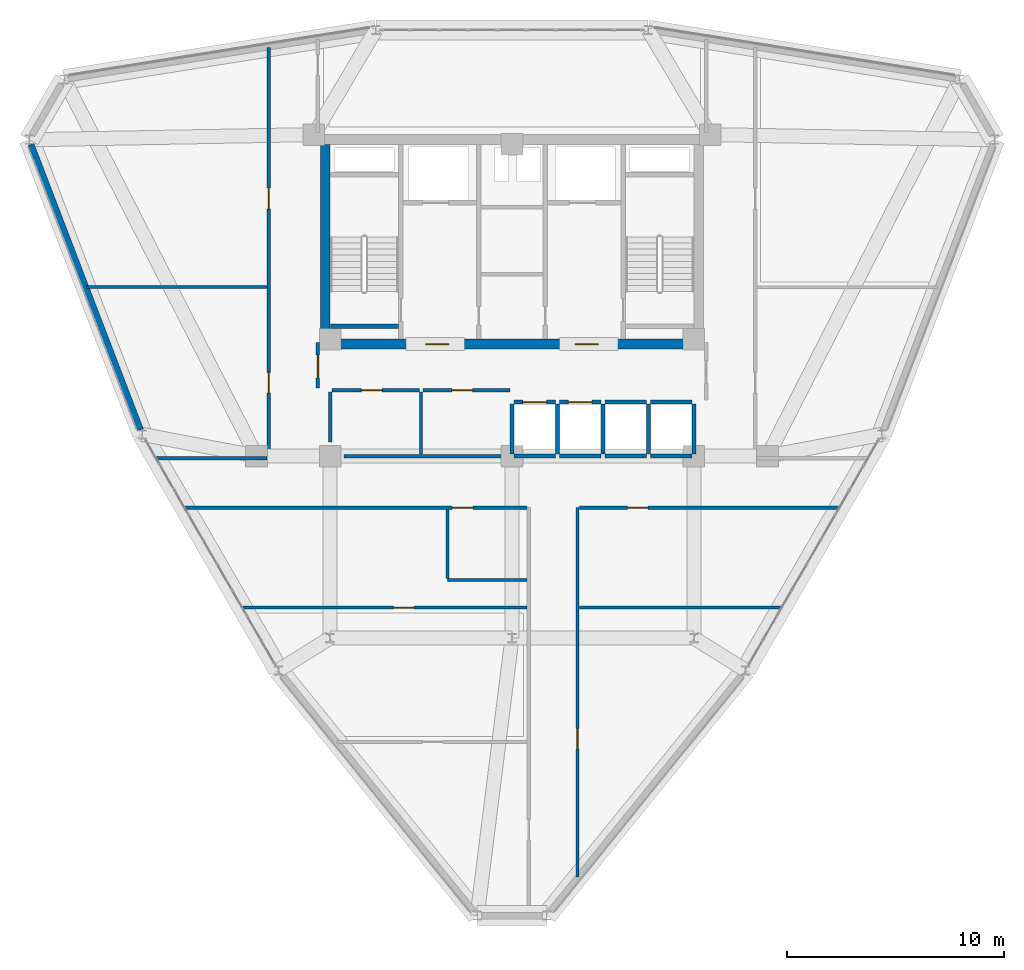
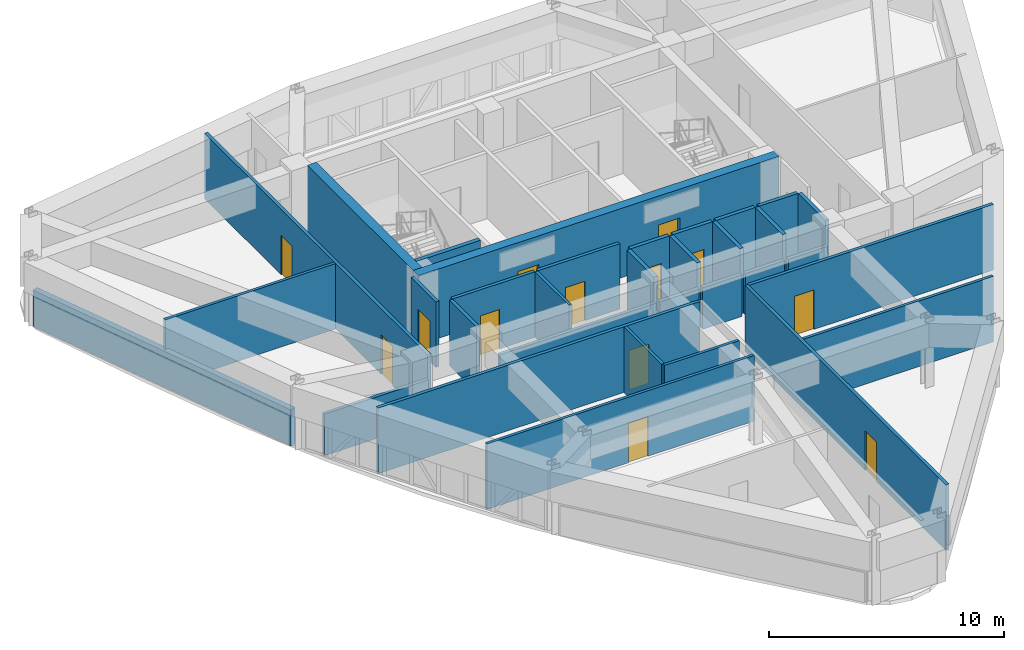
# One storey, part 10 of 13: 33 walls, 13 doors, 13 openings.
"""IFC4 building model written with IfcOpenShell, lengths in metres."""

from ifc_helpers import new_model, si_unit, derived_unit, direction, frame, frame_2d, origin, place, context, subcontext, project, spatial, rectangle, extrude, material, layer, layer_set, type_object, element, fill, save


model = new_model("IFC4")

# Units and contexts
model_context = context("Model", 3, precision=1e-05, world=origin(), true_north=direction((0.0, 1.0)))
body_context = subcontext(model_context, "Body", "Model", "MODEL_VIEW")
ifc_project = project(units=[si_unit("LENGTHUNIT", "METRE"), si_unit("AREAUNIT", "SQUARE_METRE"), si_unit("VOLUMEUNIT", "CUBIC_METRE"), si_unit("PLANEANGLEUNIT", "RADIAN"), si_unit("MASSUNIT", "GRAM", prefix="KILO"), derived_unit("THERMALTRANSMITTANCEUNIT", [(si_unit("POWERUNIT", "WATT"), 1), (si_unit("LENGTHUNIT", "METRE"), -2), (si_unit("THERMODYNAMICTEMPERATUREUNIT", "KELVIN"), -1)])], contexts=[model_context])

# Site, building, storey
site_placement = place(None, origin())
site = spatial("IfcSite", under=ifc_project, at=site_placement, CompositionType="ELEMENT")
building_placement = place(site_placement, origin())
building = spatial("IfcBuilding", under=site, at=building_placement, Name="Korsvarv Bourse and Concert Hall", CompositionType="ELEMENT")
storey_placement = place(building_placement, frame((0.0, 0.0, 179.39990234375)))
storey = spatial("IfcBuildingStorey", under=building, at=storey_placement, Name="L46", CompositionType="ELEMENT", Elevation=179.39990234375)

# Wall
ifc_material_1 = material(Name="Concrete C50/60", Category="concrete")
ifc_layer_1 = layer(ifc_material_1, 0.3798828125)
ifc_layer_set_1 = layer_set([ifc_layer_1], Name="Concrete C50/60")
wall_type_1 = type_object("IfcWallType", Name="WL-CORE-380", PredefinedType="SHEAR", material=ifc_layer_set_1)
wall_1_placement = place(storey_placement, frame((27.610107421875, 38.39990234375, 0.0), z_axis=(0.0, 0.0, 1.0), x_axis=(1.0, 0.0, 0.0)))
element("IfcWall", 1, at=wall_1_placement, inside=storey, type_object=wall_type_1, Name="L46 stair shaft structural wall W-L46-ST1-S", PredefinedType="SHEAR", context=body_context, shape_type="SweptSolid", body=[
    extrude(rectangle(XDim=3.139892578125, YDim=0.199951171875, at=frame_2d((1.56982421875, 0.0))), origin(), (0.0, 0.0, 1.0), 3.60009765625),
])

# Wall, openings, doors
ifc_material_2 = material(Name="Concrete C55/67", Category="concrete")
ifc_layer_2 = layer(ifc_material_2, 0.449951171875)
ifc_layer_set_2 = layer_set([ifc_layer_2], Name="Concrete C55/67")
wall_type_2 = type_object("IfcWallType", Name="WL-CORE-450", PredefinedType="SHEAR", material=ifc_layer_set_2)
wall_2_placement = place(storey_placement, frame((27.14990234375, 37.574951171875, 0.0), z_axis=(0.0, 0.0, 1.0), x_axis=(1.0, 0.0, 0.0)))
wall_2 = element("IfcWall", 2, at=wall_2_placement, inside=storey, type_object=wall_type_2, Name="L46 South Core Shear Wall", PredefinedType="SHEAR", context=body_context, shape_type="SweptSolid", body=[
    extrude(rectangle(XDim=17.7001953125, YDim=0.449951171875, at=frame_2d((8.85009765625, 0.0))), origin(), (0.0, 0.0, 1.0), 3.60009765625),
])
opening_1_placement = place(wall_2_placement, frame((4.875, 0.0, 0.0)))
opening_1 = element("IfcOpeningElement", 3, at=opening_1_placement, cuts=wall_2, Name="Opening D-01", PredefinedType="OPENING", context=body_context, shape_type="SweptSolid", body=[
    extrude(rectangle(XDim=1.050048828125, YDim=2.10009765625, at=frame_2d((0.52490234375, 1.050048828125))), frame((0.0, 0.23486328125, 0.0), z_axis=(0.0, -1.0, 0.0), x_axis=(1.0, 0.0, 0.0)), (0.0, 0.0, 1.0), 0.469970703125),
])
opening_2_placement = place(wall_2_placement, frame((11.77490234375, 0.0, 0.0)))
opening_2 = element("IfcOpeningElement", 4, at=opening_2_placement, cuts=wall_2, Name="Opening D-01", PredefinedType="OPENING", context=body_context, shape_type="SweptSolid", body=[
    extrude(rectangle(XDim=1.050048828125, YDim=2.10009765625, at=frame_2d((0.52490234375, 1.050048828125))), frame((0.0, 0.23486328125, 0.0), z_axis=(0.0, -1.0, 0.0), x_axis=(1.0, 0.0, 0.0)), (0.0, 0.0, 1.0), 0.469970703125),
])
ifc_material_3 = material(Name="Steel S355 fire door", Category="steel")
door_type_1 = type_object("IfcDoorType", Name="DR-FD60", OperationType="NOTDEFINED", PredefinedType="DOOR", material=ifc_material_3)
door_1_placement = place(opening_1_placement, frame((1.050048828125, 0.0, 0.0), z_axis=(0.0, 0.0, 1.0), x_axis=(-1.0, 0.0, 0.0)))
door_1 = element("IfcDoor", 5, at=door_1_placement, inside=storey, type_object=door_type_1, Name="L46 firefighting lobby fire door DR-L46-FFLW", OperationType="SINGLE_SWING_LEFT", OverallHeight=2.10009765625, OverallWidth=1.050048828125, PredefinedType="DOOR", context=body_context, shape_type="SweptSolid", body=[
    extrude(rectangle(XDim=1.050048828125, YDim=2.10009765625, at=frame_2d((0.52490234375, 1.050048828125))), frame((0.0, 0.02490234375, 0.0), z_axis=(0.0, -1.0, 0.0), x_axis=(1.0, 0.0, 0.0)), (0.0, 0.0, 1.0), 0.050048828125),
])
fill(opening_1, door_1)
door_2_placement = place(opening_2_placement, frame((1.050048828125, 0.0, 0.0), z_axis=(0.0, 0.0, 1.0), x_axis=(-1.0, 0.0, 0.0)))
door_2 = element("IfcDoor", 6, at=door_2_placement, inside=storey, type_object=door_type_1, Name="L46 firefighting lobby fire door DR-L46-FFLE", OperationType="SINGLE_SWING_RIGHT", OverallHeight=2.10009765625, OverallWidth=1.050048828125, PredefinedType="DOOR", context=body_context, shape_type="SweptSolid", body=[
    extrude(rectangle(XDim=1.050048828125, YDim=2.10009765625, at=frame_2d((0.52490234375, 1.050048828125))), frame((0.0, 0.02490234375, 0.0), z_axis=(0.0, -1.0, 0.0), x_axis=(1.0, 0.0, 0.0)), (0.0, 0.0, 1.0), 0.050048828125),
])
fill(opening_2, door_2)

# Walls
wall_3_placement = place(storey_placement, frame((27.375, 37.800048828125, 0.0), z_axis=(0.0, 0.0, 1.0), x_axis=(0.0, 1.0, 0.0)))
element("IfcWall", 7, at=wall_3_placement, inside=storey, type_object=wall_type_2, Name="L46 West Core Shear Wall", PredefinedType="SHEAR", context=body_context, shape_type="SweptSolid", body=[
    extrude(rectangle(XDim=9.0, YDim=0.449951171875, at=frame_2d((4.5, 0.0))), origin(), (0.0, 0.0, 1.0), 3.60009765625),
])
ifc_material_4 = material(Name="Precast concrete C45/55 with fluted terracotta pier", Category="concrete")
ifc_layer_3 = layer(ifc_material_4, 0.280029296875)
ifc_layer_set_3 = layer_set([ifc_layer_3], Name="Precast concrete C45/55 with fluted terracotta pier")
wall_type_3 = type_object("IfcWallType", Name="WL-EXT-TC2", PredefinedType="SOLIDWALL", material=ifc_layer_set_3)
wall_4_placement = place(storey_placement, frame((13.79150390625, 46.7998046875, 0.0), z_axis=(0.0, 0.0, 1.0), x_axis=(0.358033263681, -0.933708831541, 0.0)))
element("IfcWall", 8, at=wall_4_placement, inside=storey, type_object=wall_type_3, Name="L46 terracotta exterior wall EW-L46-B06", PredefinedType="SOLIDWALL", context=body_context, shape_type="SweptSolid", body=[
    extrude(rectangle(XDim=14.1171875, YDim=0.280029296875, at=frame_2d((7.05859375, 0.0))), origin(), (0.0, 0.0, 1.0), 1.8701171875),
])
ifc_material_5 = material(Name="Double-stud fire-rated acoustic partition", Category="gypsum")
ifc_layer_4 = layer(ifc_material_5, 0.159912109375)
ifc_layer_set_4 = layer_set([ifc_layer_4], Name="Double-stud fire-rated acoustic partition")
wall_type_4 = type_object("IfcWallType", Name="WL-INT-EI60", PredefinedType="PARTITIONING", material=ifc_layer_set_4)
wall_5_placement = place(storey_placement, frame((28.25, 32.39990234375, 0.0), z_axis=(0.0, 0.0, 1.0), x_axis=(1.0, 0.0, 0.0)))
element("IfcWall", 9, at=wall_5_placement, inside=storey, type_object=wall_type_4, Name="L46 interior partition wall W-L46-FRD-S", PredefinedType="PARTITIONING", context=body_context, shape_type="SweptSolid", body=[
    extrude(rectangle(XDim=7.64990234375, YDim=0.159912109375, at=frame_2d((3.824951171875, 0.0))), origin(), (0.0, 0.0, 1.0), 2.16015625),
])
wall_6_placement = place(storey_placement, frame((27.60009765625, 33.050048828125, 0.0), z_axis=(0.0, 0.0, 1.0), x_axis=(0.0, 1.0, 0.0)))
element("IfcWall", 10, at=wall_6_placement, inside=storey, type_object=wall_type_4, Name="L46 interior partition wall W-L46-FRD-W", PredefinedType="PARTITIONING", context=body_context, shape_type="SweptSolid", body=[
    extrude(rectangle(XDim=2.31005859375, YDim=0.159912109375, at=frame_2d((1.155029296875, 0.0))), origin(), (0.0, 0.0, 1.0), 3.400146484375),
])

# Wall, opening, door
wall_7_placement = place(storey_placement, frame((27.68994140625, 35.449951171875, 0.0), z_axis=(0.0, 0.0, 1.0), x_axis=(1.0, 0.0, 0.0)))
wall_7 = element("IfcWall", 11, at=wall_7_placement, inside=storey, type_object=wall_type_4, Name="L46 interior partition wall W-L46-FRD-N1", PredefinedType="PARTITIONING", context=body_context, shape_type="SweptSolid", body=[
    extrude(rectangle(XDim=4.030029296875, YDim=0.159912109375, at=frame_2d((2.01513671875, 0.0))), origin(), (0.0, 0.0, 1.0), 3.400146484375),
])
opening_3_placement = place(wall_7_placement, frame((1.35009765625, 0.0, 0.0)))
opening_3 = element("IfcOpeningElement", 12, at=opening_3_placement, cuts=wall_7, Name="Opening D-03", PredefinedType="OPENING", context=body_context, shape_type="SweptSolid", body=[
    extrude(rectangle(XDim=0.949951171875, YDim=2.050048828125, at=frame_2d((0.47509765625, 1.02490234375))), frame((0.0, 0.08984375, 0.0), z_axis=(0.0, -1.0, 0.0), x_axis=(1.0, 0.0, 0.0)), (0.0, 0.0, 1.0), 0.179931640625),
])
ifc_material_6 = material(Name="Nordic oak acoustic office door", Category="wood")
door_type_2 = type_object("IfcDoorType", Name="DR-INT-1", OperationType="NOTDEFINED", PredefinedType="DOOR", material=ifc_material_6)
door_3_placement = place(opening_3_placement, origin())
door_3 = element("IfcDoor", 13, at=door_3_placement, inside=storey, type_object=door_type_2, Name="L46 interior door DR-L46-FRDN1", OperationType="SINGLE_SWING_RIGHT", OverallHeight=2.050048828125, OverallWidth=0.949951171875, PredefinedType="DOOR", context=body_context, shape_type="SweptSolid", body=[
    extrude(rectangle(XDim=0.949951171875, YDim=2.050048828125, at=frame_2d((0.47509765625, 1.02490234375))), frame((0.0, 0.02490234375, 0.0), z_axis=(0.0, -1.0, 0.0), x_axis=(1.0, 0.0, 0.0)), (0.0, 0.0, 1.0), 0.050048828125),
])
fill(opening_3, door_3)

wall_8_placement = place(storey_placement, frame((31.8798828125, 35.449951171875, 0.0), z_axis=(0.0, 0.0, 1.0), x_axis=(1.0, 0.0, 0.0)))
wall_8 = element("IfcWall", 14, at=wall_8_placement, inside=storey, type_object=wall_type_4, Name="L46 interior partition wall W-L46-FRD-N2", PredefinedType="PARTITIONING", context=body_context, shape_type="SweptSolid", body=[
    extrude(rectangle(XDim=4.02001953125, YDim=0.159912109375, at=frame_2d((2.010009765625, 0.0))), origin(), (0.0, 0.0, 1.0), 3.400146484375),
])
opening_4_placement = place(wall_8_placement, frame((1.35009765625, 0.0, 0.0)))
opening_4 = element("IfcOpeningElement", 15, at=opening_4_placement, cuts=wall_8, Name="Opening D-03", PredefinedType="OPENING", context=body_context, shape_type="SweptSolid", body=[
    extrude(rectangle(XDim=0.949951171875, YDim=2.050048828125, at=frame_2d((0.47509765625, 1.02490234375))), frame((0.0, 0.08984375, 0.0), z_axis=(0.0, -1.0, 0.0), x_axis=(1.0, 0.0, 0.0)), (0.0, 0.0, 1.0), 0.179931640625),
])
door_4_placement = place(opening_4_placement, origin())
door_4 = element("IfcDoor", 16, at=door_4_placement, inside=storey, type_object=door_type_2, Name="L46 interior door DR-L46-FRDN2", OperationType="SINGLE_SWING_LEFT", OverallHeight=2.050048828125, OverallWidth=0.949951171875, PredefinedType="DOOR", context=body_context, shape_type="SweptSolid", body=[
    extrude(rectangle(XDim=0.949951171875, YDim=2.050048828125, at=frame_2d((0.47509765625, 1.02490234375))), frame((0.0, 0.02490234375, 0.0), z_axis=(0.0, -1.0, 0.0), x_axis=(1.0, 0.0, 0.0)), (0.0, 0.0, 1.0), 0.050048828125),
])
fill(opening_4, door_4)

wall_9_placement = place(storey_placement, frame((27.0400390625, 35.5400390625, 0.0), z_axis=(0.0, 0.0, 1.0), x_axis=(0.0, 1.0, 0.0)))
wall_9 = element("IfcWall", 17, at=wall_9_placement, inside=storey, type_object=wall_type_4, Name="L46 interior partition wall W-L46-LOB-WL", PredefinedType="PARTITIONING", context=body_context, shape_type="SweptSolid", body=[
    extrude(rectangle(XDim=2.10986328125, YDim=0.159912109375, at=frame_2d((1.054931640625, 0.0))), origin(), (0.0, 0.0, 1.0), 3.400146484375),
])
opening_5_placement = place(wall_9_placement, frame((0.47998046875, 0.0, 0.0)))
opening_5 = element("IfcOpeningElement", 18, at=opening_5_placement, cuts=wall_9, Name="Opening D-01", PredefinedType="OPENING", context=body_context, shape_type="SweptSolid", body=[
    extrude(rectangle(XDim=1.050048828125, YDim=2.10009765625, at=frame_2d((0.52490234375, 1.050048828125))), frame((0.0, 0.08984375, 0.0), z_axis=(0.0, -1.0, 0.0), x_axis=(1.0, 0.0, 0.0)), (0.0, 0.0, 1.0), 0.179931640625),
])
door_5_placement = place(opening_5_placement, frame((1.050048828125, 0.0, 0.0), z_axis=(0.0, 0.0, 1.0), x_axis=(-1.0, 0.0, 0.0)))
door_5 = element("IfcDoor", 19, at=door_5_placement, inside=storey, type_object=door_type_1, Name="L46 interior door DR-L46-LOBW", OperationType="SINGLE_SWING_RIGHT", OverallHeight=2.10009765625, OverallWidth=1.050048828125, PredefinedType="DOOR", context=body_context, shape_type="SweptSolid", body=[
    extrude(rectangle(XDim=1.050048828125, YDim=2.10009765625, at=frame_2d((0.52490234375, 1.050048828125))), frame((0.0, 0.02490234375, 0.0), z_axis=(0.0, -1.0, 0.0), x_axis=(1.0, 0.0, 0.0)), (0.0, 0.0, 1.0), 0.050048828125),
])
fill(opening_5, door_5)

# Wall, openings, doors
wall_10_placement = place(storey_placement, frame((24.77490234375, 32.31005859375, 0.0), z_axis=(0.0, 0.0, 1.0), x_axis=(0.0, 1.0, 0.0)))
wall_10 = element("IfcWall", 20, at=wall_10_placement, inside=storey, type_object=wall_type_4, Name="L46 interior partition wall W-L46-TCOR-02", PredefinedType="PARTITIONING", context=body_context, shape_type="SweptSolid", body=[
    extrude(rectangle(XDim=18.96875, YDim=0.159912109375, at=frame_2d((9.484375, 0.0))), origin(), (0.0, 0.0, 1.0), 3.400146484375),
])
opening_6_placement = place(wall_10_placement, frame((3.008056640625, 0.0, 0.0)))
opening_6 = element("IfcOpeningElement", 21, at=opening_6_placement, cuts=wall_10, Name="Opening D-02", PredefinedType="OPENING", context=body_context, shape_type="SweptSolid", body=[
    extrude(rectangle(XDim=0.949951171875, YDim=2.050048828125, at=frame_2d((0.47509765625, 1.02490234375))), frame((0.0, 0.08984375, 0.0), z_axis=(0.0, -1.0, 0.0), x_axis=(1.0, 0.0, 0.0)), (0.0, 0.0, 1.0), 0.179931640625),
])
opening_7_placement = place(wall_10_placement, frame((11.512939453125, 0.0, 0.0)))
opening_7 = element("IfcOpeningElement", 22, at=opening_7_placement, cuts=wall_10, Name="Opening D-02", PredefinedType="OPENING", context=body_context, shape_type="SweptSolid", body=[
    extrude(rectangle(XDim=0.949951171875, YDim=2.050048828125, at=frame_2d((0.47509765625, 1.02490234375))), frame((0.0, 0.08984375, 0.0), z_axis=(0.0, -1.0, 0.0), x_axis=(1.0, 0.0, 0.0)), (0.0, 0.0, 1.0), 0.179931640625),
])
ifc_material_7 = material(Name="Timber and steel acoustic fire door", Category="wood")
door_type_3 = type_object("IfcDoorType", Name="DR-FD30", OperationType="NOTDEFINED", PredefinedType="DOOR", material=ifc_material_7)
door_6_placement = place(opening_6_placement, origin())
door_6 = element("IfcDoor", 23, at=door_6_placement, inside=storey, type_object=door_type_3, Name="L46 interior door DR-L46-TCOR-AR79", OperationType="SINGLE_SWING_RIGHT", OverallHeight=2.050048828125, OverallWidth=0.949951171875, PredefinedType="DOOR", context=body_context, shape_type="SweptSolid", body=[
    extrude(rectangle(XDim=0.949951171875, YDim=2.050048828125, at=frame_2d((0.47509765625, 1.02490234375))), frame((0.0, 0.02490234375, 0.0), z_axis=(0.0, -1.0, 0.0), x_axis=(1.0, 0.0, 0.0)), (0.0, 0.0, 1.0), 0.050048828125),
])
fill(opening_6, door_6)
door_7_placement = place(opening_7_placement, origin())
door_7 = element("IfcDoor", 24, at=door_7_placement, inside=storey, type_object=door_type_3, Name="L46 interior door DR-L46-TCOR-RM1010", OperationType="SINGLE_SWING_LEFT", OverallHeight=2.050048828125, OverallWidth=0.949951171875, PredefinedType="DOOR", context=body_context, shape_type="SweptSolid", body=[
    extrude(rectangle(XDim=0.949951171875, YDim=2.050048828125, at=frame_2d((0.47509765625, 1.02490234375))), frame((0.0, 0.02490234375, 0.0), z_axis=(0.0, -1.0, 0.0), x_axis=(1.0, 0.0, 0.0)), (0.0, 0.0, 1.0), 0.050048828125),
])
fill(opening_7, door_7)

# Wall, opening, door
wall_11_placement = place(storey_placement, frame((39.02490234375, 12.95849609375, 0.0), z_axis=(0.0, 0.0, 1.0), x_axis=(0.0, 1.0, 0.0)))
wall_11 = element("IfcWall", 25, at=wall_11_placement, inside=storey, type_object=wall_type_4, Name="L46 interior partition wall W-L46-TCOR-04", PredefinedType="PARTITIONING", context=body_context, shape_type="SweptSolid", body=[
    extrude(rectangle(XDim=17.071533203125, YDim=0.159912109375, at=frame_2d((8.53564453125, 0.0))), origin(), (0.0, 0.0, 1.0), 3.400146484375),
])
opening_8_placement = place(wall_11_placement, frame((5.908203125, 0.0, 0.0)))
opening_8 = element("IfcOpeningElement", 26, at=opening_8_placement, cuts=wall_11, Name="Opening D-02", PredefinedType="OPENING", context=body_context, shape_type="SweptSolid", body=[
    extrude(rectangle(XDim=0.949951171875, YDim=2.050048828125, at=frame_2d((0.47509765625, 1.02490234375))), frame((0.0, 0.08984375, 0.0), z_axis=(0.0, -1.0, 0.0), x_axis=(1.0, 0.0, 0.0)), (0.0, 0.0, 1.0), 0.179931640625),
])
door_8_placement = place(opening_8_placement, origin())
door_8 = element("IfcDoor", 27, at=door_8_placement, inside=storey, type_object=door_type_3, Name="L46 interior door DR-L46-TCOR-AR43", OperationType="SINGLE_SWING_LEFT", OverallHeight=2.050048828125, OverallWidth=0.949951171875, PredefinedType="DOOR", context=body_context, shape_type="SweptSolid", body=[
    extrude(rectangle(XDim=0.949951171875, YDim=2.050048828125, at=frame_2d((0.47509765625, 1.02490234375))), frame((0.0, 0.02490234375, 0.0), z_axis=(0.0, -1.0, 0.0), x_axis=(1.0, 0.0, 0.0)), (0.0, 0.0, 1.0), 0.050048828125),
])
fill(opening_8, door_8)

wall_12_placement = place(storey_placement, frame((20.8994140625, 30.02490234375, 0.0), z_axis=(0.0, 0.0, 1.0), x_axis=(1.0, 0.0, 0.0)))
wall_12 = element("IfcWall", 28, at=wall_12_placement, inside=storey, type_object=wall_type_4, Name="L46 interior partition wall W-L46-TCOR-05", PredefinedType="PARTITIONING", context=body_context, shape_type="SweptSolid", body=[
    extrude(rectangle(XDim=15.793701171875, YDim=0.159912109375, at=frame_2d((7.89697265625, 0.0))), origin(), (0.0, 0.0, 1.0), 3.400146484375),
])
opening_9_placement = place(wall_12_placement, frame((12.3408203125, 0.0, 0.0)))
opening_9 = element("IfcOpeningElement", 29, at=opening_9_placement, cuts=wall_12, Name="Opening D-02", PredefinedType="OPENING", context=body_context, shape_type="SweptSolid", body=[
    extrude(rectangle(XDim=0.949951171875, YDim=2.050048828125, at=frame_2d((0.47509765625, 1.02490234375))), frame((0.0, 0.08984375, 0.0), z_axis=(0.0, -1.0, 0.0), x_axis=(1.0, 0.0, 0.0)), (0.0, 0.0, 1.0), 0.179931640625),
])
door_9_placement = place(opening_9_placement, origin())
door_9 = element("IfcDoor", 30, at=door_9_placement, inside=storey, type_object=door_type_3, Name="L46 interior door DR-L46-TCOR-RWC", OperationType="SINGLE_SWING_RIGHT", OverallHeight=2.050048828125, OverallWidth=0.949951171875, PredefinedType="DOOR", context=body_context, shape_type="SweptSolid", body=[
    extrude(rectangle(XDim=0.949951171875, YDim=2.050048828125, at=frame_2d((0.47509765625, 1.02490234375))), frame((0.0, 0.02490234375, 0.0), z_axis=(0.0, -1.0, 0.0), x_axis=(1.0, 0.0, 0.0)), (0.0, 0.0, 1.0), 0.050048828125),
])
fill(opening_9, door_9)

wall_13_placement = place(storey_placement, frame((39.10693359375, 30.02490234375, 0.0), z_axis=(0.0, 0.0, 1.0), x_axis=(1.0, 0.0, 0.0)))
wall_13 = element("IfcWall", 31, at=wall_13_placement, inside=storey, type_object=wall_type_4, Name="L46 interior partition wall W-L46-TCOR-06", PredefinedType="PARTITIONING", context=body_context, shape_type="SweptSolid", body=[
    extrude(rectangle(XDim=11.99365234375, YDim=0.159912109375, at=frame_2d((5.996826171875, 0.0))), origin(), (0.0, 0.0, 1.0), 3.400146484375),
])
opening_10_placement = place(wall_13_placement, frame((2.2255859375, 0.0, 0.0)))
opening_10 = element("IfcOpeningElement", 32, at=opening_10_placement, cuts=wall_13, Name="Opening D-02", PredefinedType="OPENING", context=body_context, shape_type="SweptSolid", body=[
    extrude(rectangle(XDim=0.949951171875, YDim=2.050048828125, at=frame_2d((0.47509765625, 1.02490234375))), frame((0.0, 0.08984375, 0.0), z_axis=(0.0, -1.0, 0.0), x_axis=(1.0, 0.0, 0.0)), (0.0, 0.0, 1.0), 0.179931640625),
])
door_10_placement = place(opening_10_placement, origin())
door_10 = element("IfcDoor", 33, at=door_10_placement, inside=storey, type_object=door_type_3, Name="L46 interior door DR-L46-TCOR-AR24", OperationType="SINGLE_SWING_LEFT", OverallHeight=2.050048828125, OverallWidth=0.949951171875, PredefinedType="DOOR", context=body_context, shape_type="SweptSolid", body=[
    extrude(rectangle(XDim=0.949951171875, YDim=2.050048828125, at=frame_2d((0.47509765625, 1.02490234375))), frame((0.0, 0.02490234375, 0.0), z_axis=(0.0, -1.0, 0.0), x_axis=(1.0, 0.0, 0.0)), (0.0, 0.0, 1.0), 0.050048828125),
])
fill(opening_10, door_10)

# Wall
wall_14_placement = place(storey_placement, frame((19.5771484375, 32.31494140625, 0.0), z_axis=(0.0, 0.0, 1.0), x_axis=(1.0, 0.0, 0.0)))
element("IfcWall", 34, at=wall_14_placement, inside=storey, type_object=wall_type_4, Name="L46 interior partition wall W-L46-TCOR-08", PredefinedType="PARTITIONING", context=body_context, shape_type="SweptSolid", body=[
    extrude(rectangle(XDim=5.115966796875, YDim=0.159912109375, at=frame_2d((2.55810546875, 0.0))), origin(), (0.0, 0.0, 1.0), 2.16015625),
])

# Wall, opening, door
ifc_material_8 = material(Name="Gypsum-clad autoclaved concrete shaft wall C30/37", Category="concrete")
ifc_layer_5 = layer(ifc_material_8, 0.179931640625)
ifc_layer_set_5 = layer_set([ifc_layer_5], Name="Gypsum-clad autoclaved concrete shaft wall C30/37")
wall_type_5 = type_object("IfcWallType", Name="WL-INT-EI90", PredefinedType="PARTITIONING", material=ifc_layer_set_5)
wall_15_placement = place(storey_placement, frame((36.090087890625, 34.89990234375, 0.0), z_axis=(0.0, 0.0, 1.0), x_axis=(1.0, 0.0, 0.0)))
wall_15 = element("IfcWall", 35, at=wall_15_placement, inside=storey, type_object=wall_type_5, Name="L46 interior partition wall W-L46-SHFN-PH1", PredefinedType="PARTITIONING", context=body_context, shape_type="SweptSolid", body=[
    extrude(rectangle(XDim=1.919921875, YDim=0.179931640625, at=frame_2d((0.9599609375, 0.0))), origin(), (0.0, 0.0, 1.0), 3.400146484375),
])
opening_11_placement = place(wall_15_placement, frame((0.409912109375, 0.0, 0.0)))
opening_11 = element("IfcOpeningElement", 36, at=opening_11_placement, cuts=wall_15, Name="Opening LD-2", PredefinedType="OPENING", context=body_context, shape_type="SweptSolid", body=[
    extrude(rectangle(XDim=1.10009765625, YDim=2.10009765625, at=frame_2d((0.550048828125, 1.050048828125))), frame((0.0, 0.10009765625, 0.0), z_axis=(0.0, -1.0, 0.0), x_axis=(1.0, 0.0, 0.0)), (0.0, 0.0, 1.0), 0.199951171875),
])
ifc_material_9 = material(Name="Brushed stainless Steel S355 lift landing door", Category="steel")
door_type_4 = type_object("IfcDoorType", Name="DR-LIFT-P", OperationType="DOUBLE_DOOR_SLIDING", PredefinedType="DOOR", material=ifc_material_9)
door_11_placement = place(opening_11_placement, origin())
door_11 = element("IfcDoor", 37, at=door_11_placement, inside=storey, type_object=door_type_4, Name="L46 lift sliding landing door LD-L46-PH1", OperationType="DOUBLE_DOOR_SLIDING", OverallHeight=2.10009765625, OverallWidth=1.10009765625, PredefinedType="DOOR", context=body_context, shape_type="SweptSolid", body=[
    extrude(rectangle(XDim=1.10009765625, YDim=2.10009765625, at=frame_2d((0.550048828125, 1.050048828125))), frame((0.0, 0.02490234375, 0.0), z_axis=(0.0, -1.0, 0.0), x_axis=(1.0, 0.0, 0.0)), (0.0, 0.0, 1.0), 0.050048828125),
])
fill(opening_11, door_11)

# Walls
wall_16_placement = place(storey_placement, frame((36.090087890625, 32.39990234375, 0.0), z_axis=(0.0, 0.0, 1.0), x_axis=(1.0, 0.0, 0.0)))
element("IfcWall", 38, at=wall_16_placement, inside=storey, type_object=wall_type_5, Name="L46 interior partition wall W-L46-SHFS-PH1", PredefinedType="PARTITIONING", context=body_context, shape_type="SweptSolid", body=[
    extrude(rectangle(XDim=1.919921875, YDim=0.179931640625, at=frame_2d((0.9599609375, 0.0))), origin(), (0.0, 0.0, 1.0), 2.16015625),
])
wall_17_placement = place(storey_placement, frame((36.0, 32.489990234375, 0.0), z_axis=(0.0, 0.0, 1.0), x_axis=(0.0, 1.0, 0.0)))
element("IfcWall", 39, at=wall_17_placement, inside=storey, type_object=wall_type_5, Name="L46 interior partition wall W-L46-SHFW-PH1", PredefinedType="PARTITIONING", context=body_context, shape_type="SweptSolid", body=[
    extrude(rectangle(XDim=2.320068359375, YDim=0.179931640625, at=frame_2d((1.16015625, 0.0))), origin(), (0.0, 0.0, 1.0), 3.400146484375),
])

# Wall, opening, door
wall_18_placement = place(storey_placement, frame((38.18994140625, 34.89990234375, 0.0), z_axis=(0.0, 0.0, 1.0), x_axis=(1.0, 0.0, 0.0)))
wall_18 = element("IfcWall", 40, at=wall_18_placement, inside=storey, type_object=wall_type_5, Name="L46 interior partition wall W-L46-SHFN-PH2", PredefinedType="PARTITIONING", context=body_context, shape_type="SweptSolid", body=[
    extrude(rectangle(XDim=1.920166015625, YDim=0.179931640625, at=frame_2d((0.9599609375, 0.0))), origin(), (0.0, 0.0, 1.0), 3.400146484375),
])
opening_12_placement = place(wall_18_placement, frame((0.409912109375, 0.0, 0.0)))
opening_12 = element("IfcOpeningElement", 41, at=opening_12_placement, cuts=wall_18, Name="Opening LD-2", PredefinedType="OPENING", context=body_context, shape_type="SweptSolid", body=[
    extrude(rectangle(XDim=1.10009765625, YDim=2.10009765625, at=frame_2d((0.550048828125, 1.050048828125))), frame((0.0, 0.10009765625, 0.0), z_axis=(0.0, -1.0, 0.0), x_axis=(1.0, 0.0, 0.0)), (0.0, 0.0, 1.0), 0.199951171875),
])
door_12_placement = place(opening_12_placement, origin())
door_12 = element("IfcDoor", 42, at=door_12_placement, inside=storey, type_object=door_type_4, Name="L46 lift sliding landing door LD-L46-PH2", OperationType="DOUBLE_DOOR_SLIDING", OverallHeight=2.10009765625, OverallWidth=1.10009765625, PredefinedType="DOOR", context=body_context, shape_type="SweptSolid", body=[
    extrude(rectangle(XDim=1.10009765625, YDim=2.10009765625, at=frame_2d((0.550048828125, 1.050048828125))), frame((0.0, 0.02490234375, 0.0), z_axis=(0.0, -1.0, 0.0), x_axis=(1.0, 0.0, 0.0)), (0.0, 0.0, 1.0), 0.050048828125),
])
fill(opening_12, door_12)

# Walls
wall_19_placement = place(storey_placement, frame((38.18994140625, 32.39990234375, 0.0), z_axis=(0.0, 0.0, 1.0), x_axis=(1.0, 0.0, 0.0)))
element("IfcWall", 43, at=wall_19_placement, inside=storey, type_object=wall_type_5, Name="L46 interior partition wall W-L46-SHFS-PH2", PredefinedType="PARTITIONING", context=body_context, shape_type="SweptSolid", body=[
    extrude(rectangle(XDim=1.920166015625, YDim=0.179931640625, at=frame_2d((0.9599609375, 0.0))), origin(), (0.0, 0.0, 1.0), 2.16015625),
])
wall_20_placement = place(storey_placement, frame((38.10009765625, 32.489990234375, 0.0), z_axis=(0.0, 0.0, 1.0), x_axis=(0.0, 1.0, 0.0)))
element("IfcWall", 44, at=wall_20_placement, inside=storey, type_object=wall_type_5, Name="L46 interior partition wall W-L46-SHFW-PH2", PredefinedType="PARTITIONING", context=body_context, shape_type="SweptSolid", body=[
    extrude(rectangle(XDim=2.320068359375, YDim=0.179931640625, at=frame_2d((1.16015625, 0.0))), origin(), (0.0, 0.0, 1.0), 3.400146484375),
])
wall_21_placement = place(storey_placement, frame((40.2900390625, 34.89990234375, 0.0), z_axis=(0.0, 0.0, 1.0), x_axis=(1.0, 0.0, 0.0)))
element("IfcWall", 45, at=wall_21_placement, inside=storey, type_object=wall_type_5, Name="L46 interior partition wall W-L46-SHFN-PO1", PredefinedType="PARTITIONING", context=body_context, shape_type="SweptSolid", body=[
    extrude(rectangle(XDim=1.919921875, YDim=0.179931640625, at=frame_2d((0.9599609375, 0.0))), origin(), (0.0, 0.0, 1.0), 3.400146484375),
])
wall_22_placement = place(storey_placement, frame((40.2900390625, 32.39990234375, 0.0), z_axis=(0.0, 0.0, 1.0), x_axis=(1.0, 0.0, 0.0)))
element("IfcWall", 46, at=wall_22_placement, inside=storey, type_object=wall_type_5, Name="L46 interior partition wall W-L46-SHFS-PO1", PredefinedType="PARTITIONING", context=body_context, shape_type="SweptSolid", body=[
    extrude(rectangle(XDim=1.919921875, YDim=0.179931640625, at=frame_2d((0.9599609375, 0.0))), origin(), (0.0, 0.0, 1.0), 2.16015625),
])
wall_23_placement = place(storey_placement, frame((40.199951171875, 32.489990234375, 0.0), z_axis=(0.0, 0.0, 1.0), x_axis=(0.0, 1.0, 0.0)))
element("IfcWall", 47, at=wall_23_placement, inside=storey, type_object=wall_type_5, Name="L46 interior partition wall W-L46-SHFW-PO1", PredefinedType="PARTITIONING", context=body_context, shape_type="SweptSolid", body=[
    extrude(rectangle(XDim=2.320068359375, YDim=0.179931640625, at=frame_2d((1.16015625, 0.0))), origin(), (0.0, 0.0, 1.0), 3.400146484375),
])
wall_24_placement = place(storey_placement, frame((42.389892578125, 34.89990234375, 0.0), z_axis=(0.0, 0.0, 1.0), x_axis=(1.0, 0.0, 0.0)))
element("IfcWall", 48, at=wall_24_placement, inside=storey, type_object=wall_type_5, Name="L46 interior partition wall W-L46-SHFN-PO2", PredefinedType="PARTITIONING", context=body_context, shape_type="SweptSolid", body=[
    extrude(rectangle(XDim=1.920166015625, YDim=0.179931640625, at=frame_2d((0.9599609375, 0.0))), origin(), (0.0, 0.0, 1.0), 3.400146484375),
])
wall_25_placement = place(storey_placement, frame((42.389892578125, 32.39990234375, 0.0), z_axis=(0.0, 0.0, 1.0), x_axis=(1.0, 0.0, 0.0)))
element("IfcWall", 49, at=wall_25_placement, inside=storey, type_object=wall_type_5, Name="L46 interior partition wall W-L46-SHFS-PO2", PredefinedType="PARTITIONING", context=body_context, shape_type="SweptSolid", body=[
    extrude(rectangle(XDim=1.920166015625, YDim=0.179931640625, at=frame_2d((0.9599609375, 0.0))), origin(), (0.0, 0.0, 1.0), 2.16015625),
])
for number, where, z_axis, x_axis, name in (
    (50, (42.300048828125, 32.489990234375, 0.0), (0.0, 0.0, 1.0), (0.0, 1.0, 0.0), "L46 interior partition wall W-L46-SHFW-PO2"),
    (51, (44.39990234375, 32.489990234375, 0.0), (0.0, 0.0, 1.0), (0.0, 1.0, 0.0), "L46 interior partition wall W-L46-SHFE-END"),
):
    element("IfcWall", number, at=place(storey_placement, frame(where, z_axis=z_axis, x_axis=x_axis)), inside=storey, type_object=wall_type_5, Name=name, PredefinedType="PARTITIONING", context=body_context, shape_type="SweptSolid", body=[
        extrude(rectangle(XDim=2.320068359375, YDim=0.179931640625, at=frame_2d((1.16015625, 0.0))), origin(), (0.0, 0.0, 1.0), 3.400146484375),
    ])
ifc_material_10 = material(Name="Insulated steel-stud office acoustic partition", Category="gypsum")
ifc_layer_6 = layer(ifc_material_10, 0.139892578125)
ifc_layer_set_6 = layer_set([ifc_layer_6], Name="Insulated steel-stud office acoustic partition")
wall_type_6 = type_object("IfcWallType", Name="WL-INT-P1", PredefinedType="PARTITIONING", material=ifc_layer_set_6)
wall_26_placement = place(storey_placement, frame((31.800048828125, 32.489990234375, 0.0), z_axis=(0.0, 0.0, 1.0), x_axis=(0.0, 1.0, 0.0)))
element("IfcWall", 52, at=wall_26_placement, inside=storey, type_object=wall_type_6, Name="L46 interior partition wall W-L46-FRD-V", PredefinedType="PARTITIONING", context=body_context, shape_type="SweptSolid", body=[
    extrude(rectangle(XDim=2.8701171875, YDim=0.139892578125, at=frame_2d((1.43505859375, 0.0))), origin(), (0.0, 0.0, 1.0), 3.400146484375),
])

# Wall, opening, door
wall_27_placement = place(storey_placement, frame((23.566650390625, 25.405029296875, 0.0), z_axis=(0.0, 0.0, 1.0), x_axis=(1.0, 0.0, 0.0)))
wall_27 = element("IfcWall", 53, at=wall_27_placement, inside=storey, type_object=wall_type_6, Name="L46 interior partition wall W-L46-TCOR-11", PredefinedType="PARTITIONING", context=body_context, shape_type="SweptSolid", body=[
    extrude(rectangle(XDim=13.12646484375, YDim=0.139892578125, at=frame_2d((6.563232421875, 0.0))), origin(), (0.0, 0.0, 1.0), 3.400146484375),
])
opening_13_placement = place(wall_27_placement, frame((6.95458984375, 0.0, 0.0)))
opening_13 = element("IfcOpeningElement", 54, at=opening_13_placement, cuts=wall_27, Name="Opening D-03", PredefinedType="OPENING", context=body_context, shape_type="SweptSolid", body=[
    extrude(rectangle(XDim=0.949951171875, YDim=2.050048828125, at=frame_2d((0.47509765625, 1.02490234375))), frame((0.0, 0.080078125, 0.0), z_axis=(0.0, -1.0, 0.0), x_axis=(1.0, 0.0, 0.0)), (0.0, 0.0, 1.0), 0.159912109375),
])
door_13_placement = place(opening_13_placement, origin())
door_13 = element("IfcDoor", 55, at=door_13_placement, inside=storey, type_object=door_type_2, Name="L46 interior door DR-L46-TCOR-AR18", OperationType="SINGLE_SWING_LEFT", OverallHeight=2.050048828125, OverallWidth=0.949951171875, PredefinedType="DOOR", context=body_context, shape_type="SweptSolid", body=[
    extrude(rectangle(XDim=0.949951171875, YDim=2.050048828125, at=frame_2d((0.47509765625, 1.02490234375))), frame((0.0, 0.02490234375, 0.0), z_axis=(0.0, -1.0, 0.0), x_axis=(1.0, 0.0, 0.0)), (0.0, 0.0, 1.0), 0.050048828125),
])
fill(opening_13, door_13)

# Walls
wall_28_placement = place(storey_placement, frame((39.10693359375, 25.405029296875, 0.0), z_axis=(0.0, 0.0, 1.0), x_axis=(1.0, 0.0, 0.0)))
element("IfcWall", 56, at=wall_28_placement, inside=storey, type_object=wall_type_6, Name="L46 interior partition wall W-L46-TCOR-12", PredefinedType="PARTITIONING", context=body_context, shape_type="SweptSolid", body=[
    extrude(rectangle(XDim=9.326416015625, YDim=0.139892578125, at=frame_2d((4.6630859375, 0.0))), origin(), (0.0, 0.0, 1.0), 3.400146484375),
])
wall_29_placement = place(storey_placement, frame((16.34033203125, 40.205078125, 0.0), z_axis=(0.0, 0.0, 1.0), x_axis=(1.0, 0.0, 0.0)))
element("IfcWall", 57, at=wall_29_placement, inside=storey, type_object=wall_type_6, Name="L46 interior partition wall W-L46-TCOR-15", PredefinedType="PARTITIONING", context=body_context, shape_type="SweptSolid", body=[
    extrude(rectangle(XDim=8.352783203125, YDim=0.139892578125, at=frame_2d((4.17626953125, 0.0))), origin(), (0.0, 0.0, 1.0), 3.400146484375),
])
wall_30_placement = place(storey_placement, frame((33.02001953125, 26.675048828125, 0.0), z_axis=(0.0, 0.0, 1.0), x_axis=(1.0, 0.0, 0.0)))
element("IfcWall", 58, at=wall_30_placement, inside=storey, type_object=wall_type_6, Name="L46 interior partition wall W-L46-TCOR-16", PredefinedType="PARTITIONING", context=body_context, shape_type="SweptSolid", body=[
    extrude(rectangle(XDim=3.673095703125, YDim=0.139892578125, at=frame_2d((1.83642578125, 0.0))), origin(), (0.0, 0.0, 1.0), 3.400146484375),
])
wall_31_placement = place(storey_placement, frame((33.02490234375, 26.7470703125, 0.0), z_axis=(0.0, 0.0, 1.0), x_axis=(0.0, 1.0, 0.0)))
element("IfcWall", 59, at=wall_31_placement, inside=storey, type_object=wall_type_6, Name="L46 interior partition wall W-L46-TCOR-17", PredefinedType="PARTITIONING", context=body_context, shape_type="SweptSolid", body=[
    extrude(rectangle(XDim=3.196044921875, YDim=0.139892578125, at=frame_2d((1.59814453125, 0.0))), origin(), (0.0, 0.0, 1.0), 3.400146484375),
])

save(model, "model.ifc")
